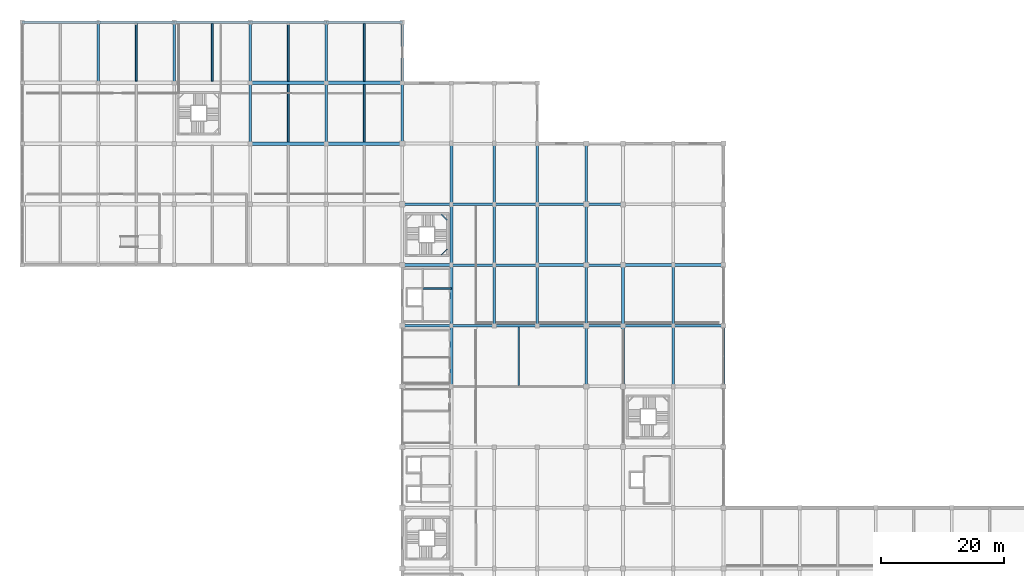
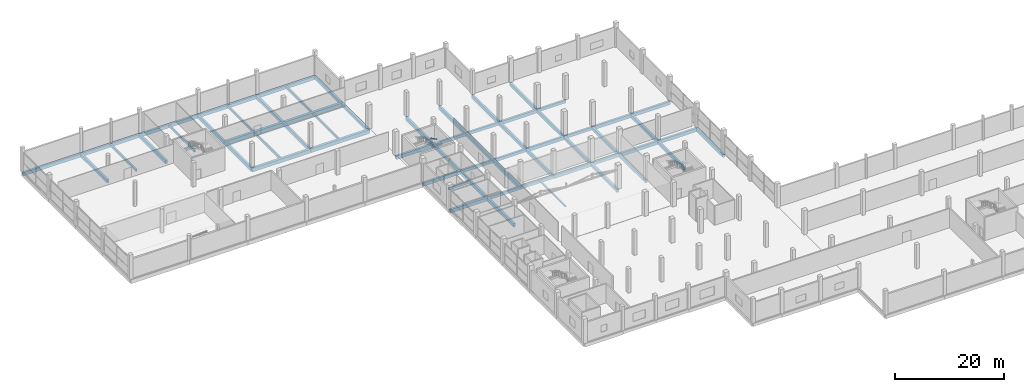
# One storey, part 28 of 72: 65 beams.
"""IFC4 building model written with IfcOpenShell, lengths in metres."""

from ifc_helpers import new_model, si_unit, direction, frame, origin, origin_2d, place, context, subcontext, project, spatial, rectangle, hollow_rectangle, i_section, extrude, material, material_profile, profile_set, type_object, element, save


model = new_model("IFC4")

# Units and contexts
model_context = context("Model", 3, precision=1e-05, world=origin(), true_north=direction((0.0, 1.0)))
body_context = subcontext(model_context, "Body", "Model", "MODEL_VIEW")
ifc_project = project(units=[si_unit("LENGTHUNIT", "METRE"), si_unit("AREAUNIT", "SQUARE_METRE"), si_unit("VOLUMEUNIT", "CUBIC_METRE"), si_unit("PLANEANGLEUNIT", "RADIAN"), si_unit("MASSUNIT", "GRAM", prefix="KILO")], contexts=[model_context])

# Site, building, storey
site_placement = place(None, origin())
site = spatial("IfcSite", under=ifc_project, at=site_placement, CompositionType="ELEMENT")
building_placement = place(site_placement, origin())
building = spatial("IfcBuilding", under=site, at=building_placement, Name="Sillaruma Civic Art Gallery", CompositionType="ELEMENT")
storey_placement = place(building_placement, frame((0.0, 0.0, 10.8798828125)))
storey = spatial("IfcBuildingStorey", under=building, at=storey_placement, Name="L02", CompositionType="ELEMENT", Elevation=10.8798828125)

# Beams
ifc_material_1 = material(Name="Concrete H35 (35 MPa)", Category="concrete")
ifc_material_profile_1 = material_profile(ifc_material_1, rectangle(XDim=0.39990234375, YDim=0.64990234375, at=origin_2d()), Name="RCB400x650")
ifc_profile_set_1 = profile_set([ifc_material_profile_1], Name="Concrete H35 (35 MPa)")
beam_type_1 = type_object("IfcBeamType", Name="BM-BEAM-RCB400x650", PredefinedType="BEAM", material=ifc_profile_set_1)
for number, where, z_axis, x_axis, name in (
    (1, (70.0, 69.300048828125, -0.5849609375), (1.0, 0.0, 0.0), (0.0, 1.0, 0.0), "Beam BM-05 (L01:8:G-H)"),
    (2, (77.0, 69.300048828125, -0.5849609375), (1.0, 0.0, 0.0), (0.0, 1.0, 0.0), "Beam BM-05 (L01:8:H-J)"),
):
    element("IfcBeam", number, at=place(storey_placement, frame(where, z_axis=z_axis, x_axis=x_axis)), inside=storey, type_object=beam_type_1, Name=name, PredefinedType="BEAM", context=body_context, shape_type="SweptSolid", body=[
        extrude(rectangle(XDim=0.39990234375, YDim=0.64990234375, at=origin_2d()), origin(), (0.0, 0.0, 1.0), 7.0),
    ])
beam_1_placement = place(storey_placement, frame((92.0, 69.300048828125, -0.5849609375), z_axis=(1.0, 0.0, 0.0), x_axis=(0.0, 1.0, 0.0)))
element("IfcBeam", 3, at=beam_1_placement, inside=storey, type_object=beam_type_1, Name="Beam BM-05 (L01:8:K-L)", PredefinedType="BEAM", context=body_context, shape_type="SweptSolid", body=[
    extrude(rectangle(XDim=0.39990234375, YDim=0.64990234375, at=origin_2d()), origin(), (0.0, 0.0, 1.0), 6.0),
])
for number, where, z_axis, x_axis, name in (
    (4, (70.0, 79.199951171875, -0.5849609375), (1.0, 0.0, 0.0), (0.0, 1.0, 0.0), "Beam BM-05 (L01:9:G-H)"),
    (5, (77.0, 79.199951171875, -0.5849609375), (1.0, 0.0, 0.0), (0.0, 1.0, 0.0), "Beam BM-05 (L01:9:H-J)"),
):
    element("IfcBeam", number, at=place(storey_placement, frame(where, z_axis=z_axis, x_axis=x_axis)), inside=storey, type_object=beam_type_1, Name=name, PredefinedType="BEAM", context=body_context, shape_type="SweptSolid", body=[
        extrude(rectangle(XDim=0.39990234375, YDim=0.64990234375, at=origin_2d()), origin(), (0.0, 0.0, 1.0), 7.0),
    ])
beam_2_placement = place(storey_placement, frame((92.0, 79.199951171875, -0.5849609375), z_axis=(1.0, 0.0, 0.0), x_axis=(0.0, 1.0, 0.0)))
element("IfcBeam", 6, at=beam_2_placement, inside=storey, type_object=beam_type_1, Name="Beam BM-05 (L01:9:K-L)", PredefinedType="BEAM", context=body_context, shape_type="SweptSolid", body=[
    extrude(rectangle(XDim=0.39990234375, YDim=0.64990234375, at=origin_2d()), origin(), (0.0, 0.0, 1.0), 6.0),
])
for number, where, z_axis, x_axis, name in (
    (7, (70.0, 89.10009765625, -0.5849609375), (1.0, 0.0, 0.0), (0.0, 1.0, 0.0), "Beam BM-05 (L01:10:G-H)"),
    (8, (77.0, 89.10009765625, -0.5849609375), (1.0, 0.0, 0.0), (0.0, 1.0, 0.0), "Beam BM-05 (L01:10:H-J)"),
):
    element("IfcBeam", number, at=place(storey_placement, frame(where, z_axis=z_axis, x_axis=x_axis)), inside=storey, type_object=beam_type_1, Name=name, PredefinedType="BEAM", context=body_context, shape_type="SweptSolid", body=[
        extrude(rectangle(XDim=0.39990234375, YDim=0.64990234375, at=origin_2d()), origin(), (0.0, 0.0, 1.0), 7.0),
    ])
beam_3_placement = place(storey_placement, frame((92.0, 89.10009765625, -0.5849609375), z_axis=(1.0, 0.0, 0.0), x_axis=(0.0, 1.0, 0.0)))
element("IfcBeam", 9, at=beam_3_placement, inside=storey, type_object=beam_type_1, Name="Beam BM-05 (L01:10:K-L)", PredefinedType="BEAM", context=body_context, shape_type="SweptSolid", body=[
    extrude(rectangle(XDim=0.39990234375, YDim=0.64990234375, at=origin_2d()), origin(), (0.0, 0.0, 1.0), 6.0),
])
ifc_material_2 = material(Name="Concrete H40 (40 MPa)", Category="concrete")
ifc_material_profile_2 = material_profile(ifc_material_2, rectangle(XDim=0.449951171875, YDim=0.75, at=origin_2d()), Name="RCB450x750")
ifc_profile_set_2 = profile_set([ifc_material_profile_2], Name="Concrete H40 (40 MPa)")
beam_type_2 = type_object("IfcBeamType", Name="BM-BEAM-RCB450x750", PredefinedType="BEAM", material=ifc_profile_set_2)
for number, where, z_axis, x_axis, name in (
    (10, (62.0, 69.300048828125, -0.634765625), (1.0, 0.0, 0.0), (0.0, 1.0, 0.0), "Beam BM-03 (L01:8:F-G)"),
    (11, (84.0, 69.300048828125, -0.634765625), (1.0, 0.0, 0.0), (0.0, 1.0, 0.0), "Beam BM-03 (L01:8:J-K)"),
):
    element("IfcBeam", number, at=place(storey_placement, frame(where, z_axis=z_axis, x_axis=x_axis)), inside=storey, type_object=beam_type_2, Name=name, PredefinedType="BEAM", context=body_context, shape_type="SweptSolid", body=[
        extrude(rectangle(XDim=0.449951171875, YDim=0.75, at=origin_2d()), origin(), (0.0, 0.0, 1.0), 8.0),
    ])
for number, where, z_axis, x_axis, name in (
    (12, (98.0, 69.300048828125, -0.634765625), (1.0, 0.0, 0.0), (0.0, 1.0, 0.0), "Beam BM-03 (L01:8:L-M)"),
    (13, (106.199951171875, 69.300048828125, -0.634765625), (1.0, 0.0, 0.0), (0.0, 1.0, 0.0), "Beam BM-03 (L01:8:M-N)"),
):
    element("IfcBeam", number, at=place(storey_placement, frame(where, z_axis=z_axis, x_axis=x_axis)), inside=storey, type_object=beam_type_2, Name=name, PredefinedType="BEAM", context=body_context, shape_type="SweptSolid", body=[
        extrude(rectangle(XDim=0.449951171875, YDim=0.75, at=origin_2d()), origin(), (0.0, 0.0, 1.0), 8.199951171875),
    ])
for number, where, z_axis, x_axis, name in (
    (14, (62.0, 79.199951171875, -0.634765625), (1.0, 0.0, 0.0), (0.0, 1.0, 0.0), "Beam BM-03 (L01:9:F-G)"),
    (15, (84.0, 79.199951171875, -0.634765625), (1.0, 0.0, 0.0), (0.0, 1.0, 0.0), "Beam BM-03 (L01:9:J-K)"),
):
    element("IfcBeam", number, at=place(storey_placement, frame(where, z_axis=z_axis, x_axis=x_axis)), inside=storey, type_object=beam_type_2, Name=name, PredefinedType="BEAM", context=body_context, shape_type="SweptSolid", body=[
        extrude(rectangle(XDim=0.449951171875, YDim=0.75, at=origin_2d()), origin(), (0.0, 0.0, 1.0), 8.0),
    ])
for number, where, z_axis, x_axis, name in (
    (16, (98.0, 79.199951171875, -0.634765625), (1.0, 0.0, 0.0), (0.0, 1.0, 0.0), "Beam BM-03 (L01:9:L-M)"),
    (17, (106.199951171875, 79.199951171875, -0.634765625), (1.0, 0.0, 0.0), (0.0, 1.0, 0.0), "Beam BM-03 (L01:9:M-N)"),
):
    element("IfcBeam", number, at=place(storey_placement, frame(where, z_axis=z_axis, x_axis=x_axis)), inside=storey, type_object=beam_type_2, Name=name, PredefinedType="BEAM", context=body_context, shape_type="SweptSolid", body=[
        extrude(rectangle(XDim=0.449951171875, YDim=0.75, at=origin_2d()), origin(), (0.0, 0.0, 1.0), 8.199951171875),
    ])
for number, where, z_axis, x_axis, name in (
    (18, (62.0, 89.10009765625, -0.634765625), (1.0, 0.0, 0.0), (0.0, 1.0, 0.0), "Beam BM-03 (L01:10:F-G)"),
    (19, (84.0, 89.10009765625, -0.634765625), (1.0, 0.0, 0.0), (0.0, 1.0, 0.0), "Beam BM-03 (L01:10:J-K)"),
):
    element("IfcBeam", number, at=place(storey_placement, frame(where, z_axis=z_axis, x_axis=x_axis)), inside=storey, type_object=beam_type_2, Name=name, PredefinedType="BEAM", context=body_context, shape_type="SweptSolid", body=[
        extrude(rectangle(XDim=0.449951171875, YDim=0.75, at=origin_2d()), origin(), (0.0, 0.0, 1.0), 8.0),
    ])
for number, where, z_axis, x_axis, name in (
    (20, (12.39990234375, 108.89990234375, -0.634765625), (0.0, 1.0, 0.0), (-1.0, 0.0, 0.0), "Beam BM-03 (L01:B:12-13)"),
    (21, (24.800048828125, 108.89990234375, -0.634765625), (0.0, 1.0, 0.0), (-1.0, 0.0, 0.0), "Beam BM-03 (L01:C:12-13)"),
):
    element("IfcBeam", number, at=place(storey_placement, frame(where, z_axis=z_axis, x_axis=x_axis)), inside=storey, type_object=beam_type_2, Name=name, PredefinedType="BEAM", context=body_context, shape_type="SweptSolid", body=[
        extrude(rectangle(XDim=0.449951171875, YDim=0.75, at=origin_2d()), origin(), (0.0, 0.0, 1.0), 9.900146484375),
    ])
beam_4_placement = place(storey_placement, frame((37.199951171875, 99.0, -0.634765625), z_axis=(0.0, 1.0, 0.0), x_axis=(-1.0, 0.0, 0.0)))
element("IfcBeam", 22, at=beam_4_placement, inside=storey, type_object=beam_type_2, Name="Beam BM-03 (L01:D:11-12)", PredefinedType="BEAM", context=body_context, shape_type="SweptSolid", body=[
    extrude(rectangle(XDim=0.449951171875, YDim=0.75, at=origin_2d()), origin(), (0.0, 0.0, 1.0), 9.89990234375),
])
beam_5_placement = place(storey_placement, frame((37.199951171875, 108.89990234375, -0.634765625), z_axis=(0.0, 1.0, 0.0), x_axis=(-1.0, 0.0, 0.0)))
element("IfcBeam", 23, at=beam_5_placement, inside=storey, type_object=beam_type_2, Name="Beam BM-03 (L01:D:12-13)", PredefinedType="BEAM", context=body_context, shape_type="SweptSolid", body=[
    extrude(rectangle(XDim=0.449951171875, YDim=0.75, at=origin_2d()), origin(), (0.0, 0.0, 1.0), 9.900146484375),
])
beam_6_placement = place(storey_placement, frame((49.60009765625, 99.0, -0.634765625), z_axis=(0.0, 1.0, 0.0), x_axis=(-1.0, 0.0, 0.0)))
element("IfcBeam", 24, at=beam_6_placement, inside=storey, type_object=beam_type_2, Name="Beam BM-03 (L01:E:11-12)", PredefinedType="BEAM", context=body_context, shape_type="SweptSolid", body=[
    extrude(rectangle(XDim=0.449951171875, YDim=0.75, at=origin_2d()), origin(), (0.0, 0.0, 1.0), 9.89990234375),
])
for number, where, z_axis, x_axis, name in (
    (25, (49.60009765625, 108.89990234375, -0.634765625), (0.0, 1.0, 0.0), (-1.0, 0.0, 0.0), "Beam BM-03 (L01:E:12-13)"),
    (26, (70.0, 59.39990234375, -0.634765625), (0.0, 1.0, 0.0), (-1.0, 0.0, 0.0), "Beam BM-03 (L01:G:7-8)"),
):
    element("IfcBeam", number, at=place(storey_placement, frame(where, z_axis=z_axis, x_axis=x_axis)), inside=storey, type_object=beam_type_2, Name=name, PredefinedType="BEAM", context=body_context, shape_type="SweptSolid", body=[
        extrude(rectangle(XDim=0.449951171875, YDim=0.75, at=origin_2d()), origin(), (0.0, 0.0, 1.0), 9.900146484375),
    ])
beam_7_placement = place(storey_placement, frame((70.0, 69.300048828125, -0.634765625), z_axis=(0.0, 1.0, 0.0), x_axis=(-1.0, 0.0, 0.0)))
element("IfcBeam", 27, at=beam_7_placement, inside=storey, type_object=beam_type_2, Name="Beam BM-03 (L01:G:8-9)", PredefinedType="BEAM", context=body_context, shape_type="SweptSolid", body=[
    extrude(rectangle(XDim=0.449951171875, YDim=0.75, at=origin_2d()), origin(), (0.0, 0.0, 1.0), 9.89990234375),
])
beam_8_placement = place(storey_placement, frame((70.0, 79.199951171875, -0.634765625), z_axis=(0.0, 1.0, 0.0), x_axis=(-1.0, 0.0, 0.0)))
element("IfcBeam", 28, at=beam_8_placement, inside=storey, type_object=beam_type_2, Name="Beam BM-03 (L01:G:9-10)", PredefinedType="BEAM", context=body_context, shape_type="SweptSolid", body=[
    extrude(rectangle(XDim=0.449951171875, YDim=0.75, at=origin_2d()), origin(), (0.0, 0.0, 1.0), 9.900146484375),
])
for number, where, z_axis, x_axis, name in (
    (29, (70.0, 89.10009765625, -0.634765625), (0.0, 1.0, 0.0), (-1.0, 0.0, 0.0), "Beam BM-03 (L01:G:10-11)"),
    (30, (77.0, 69.300048828125, -0.634765625), (0.0, 1.0, 0.0), (-1.0, 0.0, 0.0), "Beam BM-03 (L01:H:8-9)"),
):
    element("IfcBeam", number, at=place(storey_placement, frame(where, z_axis=z_axis, x_axis=x_axis)), inside=storey, type_object=beam_type_2, Name=name, PredefinedType="BEAM", context=body_context, shape_type="SweptSolid", body=[
        extrude(rectangle(XDim=0.449951171875, YDim=0.75, at=origin_2d()), origin(), (0.0, 0.0, 1.0), 9.89990234375),
    ])
beam_9_placement = place(storey_placement, frame((77.0, 79.199951171875, -0.634765625), z_axis=(0.0, 1.0, 0.0), x_axis=(-1.0, 0.0, 0.0)))
element("IfcBeam", 31, at=beam_9_placement, inside=storey, type_object=beam_type_2, Name="Beam BM-03 (L01:H:9-10)", PredefinedType="BEAM", context=body_context, shape_type="SweptSolid", body=[
    extrude(rectangle(XDim=0.449951171875, YDim=0.75, at=origin_2d()), origin(), (0.0, 0.0, 1.0), 9.900146484375),
])
for number, where, z_axis, x_axis, name in (
    (32, (77.0, 89.10009765625, -0.634765625), (0.0, 1.0, 0.0), (-1.0, 0.0, 0.0), "Beam BM-03 (L01:H:10-11)"),
    (33, (84.0, 69.300048828125, -0.634765625), (0.0, 1.0, 0.0), (-1.0, 0.0, 0.0), "Beam BM-03 (L01:J:8-9)"),
):
    element("IfcBeam", number, at=place(storey_placement, frame(where, z_axis=z_axis, x_axis=x_axis)), inside=storey, type_object=beam_type_2, Name=name, PredefinedType="BEAM", context=body_context, shape_type="SweptSolid", body=[
        extrude(rectangle(XDim=0.449951171875, YDim=0.75, at=origin_2d()), origin(), (0.0, 0.0, 1.0), 9.89990234375),
    ])
beam_10_placement = place(storey_placement, frame((84.0, 79.199951171875, -0.634765625), z_axis=(0.0, 1.0, 0.0), x_axis=(-1.0, 0.0, 0.0)))
element("IfcBeam", 34, at=beam_10_placement, inside=storey, type_object=beam_type_2, Name="Beam BM-03 (L01:J:9-10)", PredefinedType="BEAM", context=body_context, shape_type="SweptSolid", body=[
    extrude(rectangle(XDim=0.449951171875, YDim=0.75, at=origin_2d()), origin(), (0.0, 0.0, 1.0), 9.900146484375),
])
beam_11_placement = place(storey_placement, frame((84.0, 89.10009765625, -0.634765625), z_axis=(0.0, 1.0, 0.0), x_axis=(-1.0, 0.0, 0.0)))
element("IfcBeam", 35, at=beam_11_placement, inside=storey, type_object=beam_type_2, Name="Beam BM-03 (L01:J:10-11)", PredefinedType="BEAM", context=body_context, shape_type="SweptSolid", body=[
    extrude(rectangle(XDim=0.449951171875, YDim=0.75, at=origin_2d()), origin(), (0.0, 0.0, 1.0), 9.89990234375),
])
beam_12_placement = place(storey_placement, frame((106.199951171875, 59.39990234375, -0.634765625), z_axis=(0.0, 1.0, 0.0), x_axis=(-1.0, 0.0, 0.0)))
element("IfcBeam", 36, at=beam_12_placement, inside=storey, type_object=beam_type_2, Name="Beam BM-03 (L01:M:7-8)", PredefinedType="BEAM", context=body_context, shape_type="SweptSolid", body=[
    extrude(rectangle(XDim=0.449951171875, YDim=0.75, at=origin_2d()), origin(), (0.0, 0.0, 1.0), 9.900146484375),
])
beam_13_placement = place(storey_placement, frame((106.199951171875, 69.300048828125, -0.634765625), z_axis=(0.0, 1.0, 0.0), x_axis=(-1.0, 0.0, 0.0)))
element("IfcBeam", 37, at=beam_13_placement, inside=storey, type_object=beam_type_2, Name="Beam BM-03 (L01:M:8-9)", PredefinedType="BEAM", context=body_context, shape_type="SweptSolid", body=[
    extrude(rectangle(XDim=0.449951171875, YDim=0.75, at=origin_2d()), origin(), (0.0, 0.0, 1.0), 9.89990234375),
])
ifc_material_profile_3 = material_profile(ifc_material_2, rectangle(XDim=0.550048828125, YDim=0.85009765625, at=origin_2d()), Name="RCB550x850")
ifc_profile_set_3 = profile_set([ifc_material_profile_3], Name="Concrete H40 (40 MPa)")
beam_type_3 = type_object("IfcBeamType", Name="BM-BEAM-RCB550x850", PredefinedType="BEAM", material=ifc_profile_set_3)
beam_14_placement = place(storey_placement, frame((37.199951171875, 99.0, -0.684814453125), z_axis=(1.0, 0.0, 0.0), x_axis=(0.0, 1.0, 0.0)))
element("IfcBeam", 38, at=beam_14_placement, inside=storey, type_object=beam_type_3, Name="Beam BM-01 (L01:11:D-E)", PredefinedType="BEAM", context=body_context, shape_type="SweptSolid", body=[
    extrude(rectangle(XDim=0.550048828125, YDim=0.85009765625, at=origin_2d()), origin(), (0.0, 0.0, 1.0), 12.400146484375),
])
beam_15_placement = place(storey_placement, frame((49.60009765625, 99.0, -0.684814453125), z_axis=(1.0, 0.0, 0.0), x_axis=(0.0, 1.0, 0.0)))
element("IfcBeam", 39, at=beam_15_placement, inside=storey, type_object=beam_type_3, Name="Beam BM-01 (L01:11:E-F)", PredefinedType="BEAM", context=body_context, shape_type="SweptSolid", body=[
    extrude(rectangle(XDim=0.550048828125, YDim=0.85009765625, at=origin_2d()), origin(), (0.0, 0.0, 1.0), 12.39990234375),
])
beam_16_placement = place(storey_placement, frame((37.199951171875, 108.89990234375, -0.684814453125), z_axis=(1.0, 0.0, 0.0), x_axis=(0.0, 1.0, 0.0)))
element("IfcBeam", 40, at=beam_16_placement, inside=storey, type_object=beam_type_3, Name="Beam BM-01 (L01:12:D-E)", PredefinedType="BEAM", context=body_context, shape_type="SweptSolid", body=[
    extrude(rectangle(XDim=0.550048828125, YDim=0.85009765625, at=origin_2d()), origin(), (0.0, 0.0, 1.0), 12.400146484375),
])
beam_17_placement = place(storey_placement, frame((49.60009765625, 108.89990234375, -0.684814453125), z_axis=(1.0, 0.0, 0.0), x_axis=(0.0, 1.0, 0.0)))
element("IfcBeam", 41, at=beam_17_placement, inside=storey, type_object=beam_type_3, Name="Beam BM-01 (L01:12:E-F)", PredefinedType="BEAM", context=body_context, shape_type="SweptSolid", body=[
    extrude(rectangle(XDim=0.550048828125, YDim=0.85009765625, at=origin_2d()), origin(), (0.0, 0.0, 1.0), 12.39990234375),
])
ifc_material_profile_4 = material_profile(ifc_material_1, rectangle(XDim=0.300048828125, YDim=0.52001953125, at=origin_2d()), Name="RCB300x520")
ifc_profile_set_4 = profile_set([ifc_material_profile_4], Name="Concrete H35 (35 MPa)")
beam_type_4 = type_object("IfcBeamType", Name="BM-JOIST-RCB300x520", PredefinedType="JOIST", material=ifc_profile_set_4)
for number, where, z_axis, x_axis, name in (
    (42, (43.39990234375, 99.27490234375, -0.519775390625), (0.0, 1.0, 0.0), (-1.0, 0.0, 0.0), "Floor Joist JR-01 (L01:DE:11-12)"),
    (43, (55.800048828125, 99.27490234375, -0.519775390625), (0.0, 1.0, 0.0), (-1.0, 0.0, 0.0), "Floor Joist JR-01 (L01:EF:11-12)"),
):
    element("IfcBeam", number, at=place(storey_placement, frame(where, z_axis=z_axis, x_axis=x_axis)), inside=storey, type_object=beam_type_4, Name=name, PredefinedType="JOIST", context=body_context, shape_type="SweptSolid", body=[
        extrude(rectangle(XDim=0.300048828125, YDim=0.52001953125, at=origin_2d()), origin(), (0.0, 0.0, 1.0), 9.35009765625),
    ])
for number, where, z_axis, x_axis, name in (
    (44, (18.60009765625, 109.175048828125, -0.519775390625), (0.0, 1.0, 0.0), (-1.0, 0.0, 0.0), "Floor Joist JR-01 (L01:BC:12-13)"),
    (45, (31.0, 109.175048828125, -0.519775390625), (0.0, 1.0, 0.0), (-1.0, 0.0, 0.0), "Floor Joist JR-01 (L01:CD:12-13)"),
    (46, (43.39990234375, 109.175048828125, -0.519775390625), (0.0, 1.0, 0.0), (-1.0, 0.0, 0.0), "Floor Joist JR-01 (L01:DE:12-13)"),
    (47, (55.800048828125, 109.175048828125, -0.519775390625), (0.0, 1.0, 0.0), (-1.0, 0.0, 0.0), "Floor Joist JR-01 (L01:EF:12-13)"),
):
    element("IfcBeam", number, at=place(storey_placement, frame(where, z_axis=z_axis, x_axis=x_axis)), inside=storey, type_object=beam_type_4, Name=name, PredefinedType="JOIST", context=body_context, shape_type="SweptSolid", body=[
        extrude(rectangle(XDim=0.300048828125, YDim=0.52001953125, at=origin_2d()), origin(), (0.0, 0.0, 1.0), 9.39990234375),
    ])
ifc_material_3 = material(Name="Structural Steel ASTM A992 Gr.50", Category="steel")
ifc_material_profile_5 = material_profile(ifc_material_3, i_section(OverallWidth=0.256103515625, OverallDepth=0.260009765625, WebThickness=0.0107421875, FlangeThickness=0.017333984375, FilletRadius=0.012939453125, at=origin_2d()), Name="W250x89")
ifc_profile_set_5 = profile_set([ifc_material_profile_5], Name="Structural Steel ASTM A992 Gr.50")
beam_type_5 = type_object("IfcBeamType", Name="BM-JOIST-W250x89", PredefinedType="JOIST", material=ifc_profile_set_5)
beam_18_placement = place(storey_placement, frame((81.0, 59.5869140625, -0.389892578125), z_axis=(0.0, 1.0, 0.0), x_axis=(-1.0, 0.0, 0.0)))
element("IfcBeam", 48, at=beam_18_placement, inside=storey, type_object=beam_type_5, Name="Long-Span Gallery Joist JS-04 (L01:7-8)", PredefinedType="JOIST", context=body_context, shape_type="SweptSolid", body=[
    extrude(i_section(OverallWidth=0.256103515625, OverallDepth=0.260009765625, WebThickness=0.0107421875, FlangeThickness=0.017333984375, FilletRadius=0.012939453125, at=origin_2d()), origin(), (0.0, 0.0, 1.0), 9.51318359375),
])
ifc_material_profile_6 = material_profile(ifc_material_1, rectangle(XDim=0.300048828125, YDim=0.4599609375, at=origin_2d()), Name="RCB300x460")
ifc_profile_set_6 = profile_set([ifc_material_profile_6], Name="Concrete H35 (35 MPa)")
beam_type_6 = type_object("IfcBeamType", Name="BM-LINTEL-RCB300x460", PredefinedType="LINTEL", material=ifc_profile_set_6)
beam_19_placement = place(storey_placement, frame((65.25, 75.3798828125, -0.489990234375), z_axis=(1.0, 0.0, 0.0), x_axis=(0.0, 1.0, 0.0)))
element("IfcBeam", 49, at=beam_19_placement, inside=storey, type_object=beam_type_6, Name="Core Portal Coupling Lintel BL-01 (L01:FFL)", PredefinedType="LINTEL", context=body_context, shape_type="SweptSolid", body=[
    extrude(rectangle(XDim=0.300048828125, YDim=0.4599609375, at=origin_2d()), origin(), (0.0, 0.0, 1.0), 4.75),
])
ifc_material_4 = material(Name="Structural Steel ASTM A500 Gr.C", Category="steel")
ifc_material_profile_7 = material_profile(ifc_material_4, hollow_rectangle(XDim=0.080078125, YDim=0.159912109375, WallThickness=0.008056640625, InnerFilletRadius=0.008056640625, OuterFilletRadius=0.01611328125, at=origin_2d()), Name="HSS160x80x8")
ifc_profile_set_7 = profile_set([ifc_material_profile_7], Name="Structural Steel ASTM A500 Gr.C")
beam_type_7 = type_object("IfcBeamType", Name="BM-LND-HSS160", PredefinedType="BEAM", material=ifc_profile_set_7)
for number, where, z_axis, x_axis, name in (
    (50, (68.389892578125, 80.8701171875, 1.080078125), (0.707203758046, 0.707009791025, 0.0), (-0.707009791025, 0.707203758046, 0.0), "Stair Corner Landing Trimmer Beam (ST-02-L02-1)"),
    (51, (68.389892578125, 87.429931640625, 2.440185546875), (0.707203758046, -0.707009791025, 0.0), (0.707009791025, 0.707203758046, 0.0), "Stair Corner Landing Trimmer Beam (ST-02-L02-2)"),
):
    element("IfcBeam", number, at=place(storey_placement, frame(where, z_axis=z_axis, x_axis=x_axis)), inside=storey, type_object=beam_type_7, Name=name, PredefinedType="BEAM", context=body_context, shape_type="SweptSolid", body=[
        extrude(hollow_rectangle(XDim=0.080078125, YDim=0.159912109375, WallThickness=0.008056640625, InnerFilletRadius=0.008056640625, OuterFilletRadius=0.01611328125, at=origin_2d()), origin(), (0.0, 0.0, 1.0), 1.2587890625),
    ])
ifc_material_profile_8 = material_profile(ifc_material_1, rectangle(XDim=0.449951171875, YDim=0.699951171875, at=origin_2d()), Name="RCB450x700")
ifc_profile_set_8 = profile_set([ifc_material_profile_8], Name="Concrete H35 (35 MPa)")
beam_type_8 = type_object("IfcBeamType", Name="BM-SPANDREL-RCB450x700", PredefinedType="SPANDREL", material=ifc_profile_set_8)
beam_20_placement = place(storey_placement, frame((62.0, 99.0, -0.60986328125), z_axis=(0.0, 1.0, 0.0), x_axis=(-1.0, 0.0, 0.0)))
element("IfcBeam", 52, at=beam_20_placement, inside=storey, type_object=beam_type_8, Name="Beam BS-03 (L01:F:11-12)", PredefinedType="SPANDREL", context=body_context, shape_type="SweptSolid", body=[
    extrude(rectangle(XDim=0.449951171875, YDim=0.699951171875, at=origin_2d()), origin(), (0.0, 0.0, 1.0), 9.89990234375),
])
for number, where, z_axis, x_axis, name in (
    (53, (62.0, 108.89990234375, -0.60986328125), (0.0, 1.0, 0.0), (-1.0, 0.0, 0.0), "Beam BS-03 (L01:F:12-13)"),
    (54, (92.0, 59.39990234375, -0.60986328125), (0.0, 1.0, 0.0), (-1.0, 0.0, 0.0), "Beam BS-03 (L01:K:7-8)"),
):
    element("IfcBeam", number, at=place(storey_placement, frame(where, z_axis=z_axis, x_axis=x_axis)), inside=storey, type_object=beam_type_8, Name=name, PredefinedType="SPANDREL", context=body_context, shape_type="SweptSolid", body=[
        extrude(rectangle(XDim=0.449951171875, YDim=0.699951171875, at=origin_2d()), origin(), (0.0, 0.0, 1.0), 9.900146484375),
    ])
beam_21_placement = place(storey_placement, frame((92.0, 69.300048828125, -0.60986328125), z_axis=(0.0, 1.0, 0.0), x_axis=(-1.0, 0.0, 0.0)))
element("IfcBeam", 55, at=beam_21_placement, inside=storey, type_object=beam_type_8, Name="Beam BS-03 (L01:K:8-9)", PredefinedType="SPANDREL", context=body_context, shape_type="SweptSolid", body=[
    extrude(rectangle(XDim=0.449951171875, YDim=0.699951171875, at=origin_2d()), origin(), (0.0, 0.0, 1.0), 9.89990234375),
])
beam_22_placement = place(storey_placement, frame((92.0, 79.199951171875, -0.60986328125), z_axis=(0.0, 1.0, 0.0), x_axis=(-1.0, 0.0, 0.0)))
element("IfcBeam", 56, at=beam_22_placement, inside=storey, type_object=beam_type_8, Name="Beam BS-03 (L01:K:9-10)", PredefinedType="SPANDREL", context=body_context, shape_type="SweptSolid", body=[
    extrude(rectangle(XDim=0.449951171875, YDim=0.699951171875, at=origin_2d()), origin(), (0.0, 0.0, 1.0), 9.900146484375),
])
beam_23_placement = place(storey_placement, frame((92.0, 89.10009765625, -0.60986328125), z_axis=(0.0, 1.0, 0.0), x_axis=(-1.0, 0.0, 0.0)))
element("IfcBeam", 57, at=beam_23_placement, inside=storey, type_object=beam_type_8, Name="Beam BS-03 (L01:K:10-11)", PredefinedType="SPANDREL", context=body_context, shape_type="SweptSolid", body=[
    extrude(rectangle(XDim=0.449951171875, YDim=0.699951171875, at=origin_2d()), origin(), (0.0, 0.0, 1.0), 9.89990234375),
])
beam_24_placement = place(storey_placement, frame((98.0, 59.39990234375, -0.60986328125), z_axis=(0.0, 1.0, 0.0), x_axis=(-1.0, 0.0, 0.0)))
element("IfcBeam", 58, at=beam_24_placement, inside=storey, type_object=beam_type_8, Name="Beam BS-03 (L01:L:7-8)", PredefinedType="SPANDREL", context=body_context, shape_type="SweptSolid", body=[
    extrude(rectangle(XDim=0.449951171875, YDim=0.699951171875, at=origin_2d()), origin(), (0.0, 0.0, 1.0), 9.900146484375),
])
beam_25_placement = place(storey_placement, frame((98.0, 69.300048828125, -0.60986328125), z_axis=(0.0, 1.0, 0.0), x_axis=(-1.0, 0.0, 0.0)))
element("IfcBeam", 59, at=beam_25_placement, inside=storey, type_object=beam_type_8, Name="Beam BS-03 (L01:L:8-9)", PredefinedType="SPANDREL", context=body_context, shape_type="SweptSolid", body=[
    extrude(rectangle(XDim=0.449951171875, YDim=0.699951171875, at=origin_2d()), origin(), (0.0, 0.0, 1.0), 9.89990234375),
])
beam_26_placement = place(storey_placement, frame((114.39990234375, 59.39990234375, -0.60986328125), z_axis=(0.0, 1.0, 0.0), x_axis=(-1.0, 0.0, 0.0)))
element("IfcBeam", 60, at=beam_26_placement, inside=storey, type_object=beam_type_8, Name="Beam BS-03 (L01:N:7-8)", PredefinedType="SPANDREL", context=body_context, shape_type="SweptSolid", body=[
    extrude(rectangle(XDim=0.449951171875, YDim=0.699951171875, at=origin_2d()), origin(), (0.0, 0.0, 1.0), 9.900146484375),
])
ifc_material_profile_9 = material_profile(ifc_material_2, rectangle(XDim=0.449951171875, YDim=0.75, at=origin_2d()), Name="RCB450x750")
ifc_profile_set_9 = profile_set([ifc_material_profile_9], Name="Concrete H40 (40 MPa)")
beam_type_9 = type_object("IfcBeamType", Name="BM-SPANDREL-RCB450x750", PredefinedType="SPANDREL", material=ifc_profile_set_9)
beam_27_placement = place(storey_placement, frame((0.0, 118.800048828125, -0.634765625), z_axis=(1.0, 0.0, 0.0), x_axis=(0.0, 1.0, 0.0)))
element("IfcBeam", 61, at=beam_27_placement, inside=storey, type_object=beam_type_9, Name="Beam BS-01 (L01:13:A-B)", PredefinedType="SPANDREL", context=body_context, shape_type="SweptSolid", body=[
    extrude(rectangle(XDim=0.449951171875, YDim=0.75, at=origin_2d()), origin(), (0.0, 0.0, 1.0), 12.39990234375),
])
beam_28_placement = place(storey_placement, frame((12.39990234375, 118.800048828125, -0.634765625), z_axis=(1.0, 0.0, 0.0), x_axis=(0.0, 1.0, 0.0)))
element("IfcBeam", 62, at=beam_28_placement, inside=storey, type_object=beam_type_9, Name="Beam BS-01 (L01:13:B-C)", PredefinedType="SPANDREL", context=body_context, shape_type="SweptSolid", body=[
    extrude(rectangle(XDim=0.449951171875, YDim=0.75, at=origin_2d()), origin(), (0.0, 0.0, 1.0), 12.400146484375),
])
beam_29_placement = place(storey_placement, frame((24.800048828125, 118.800048828125, -0.634765625), z_axis=(1.0, 0.0, 0.0), x_axis=(0.0, 1.0, 0.0)))
element("IfcBeam", 63, at=beam_29_placement, inside=storey, type_object=beam_type_9, Name="Beam BS-01 (L01:13:C-D)", PredefinedType="SPANDREL", context=body_context, shape_type="SweptSolid", body=[
    extrude(rectangle(XDim=0.449951171875, YDim=0.75, at=origin_2d()), origin(), (0.0, 0.0, 1.0), 12.39990234375),
])
beam_30_placement = place(storey_placement, frame((37.199951171875, 118.800048828125, -0.634765625), z_axis=(1.0, 0.0, 0.0), x_axis=(0.0, 1.0, 0.0)))
element("IfcBeam", 64, at=beam_30_placement, inside=storey, type_object=beam_type_9, Name="Beam BS-01 (L01:13:D-E)", PredefinedType="SPANDREL", context=body_context, shape_type="SweptSolid", body=[
    extrude(rectangle(XDim=0.449951171875, YDim=0.75, at=origin_2d()), origin(), (0.0, 0.0, 1.0), 12.400146484375),
])
beam_31_placement = place(storey_placement, frame((49.60009765625, 118.800048828125, -0.634765625), z_axis=(1.0, 0.0, 0.0), x_axis=(0.0, 1.0, 0.0)))
element("IfcBeam", 65, at=beam_31_placement, inside=storey, type_object=beam_type_9, Name="Beam BS-01 (L01:13:E-F)", PredefinedType="SPANDREL", context=body_context, shape_type="SweptSolid", body=[
    extrude(rectangle(XDim=0.449951171875, YDim=0.75, at=origin_2d()), origin(), (0.0, 0.0, 1.0), 12.39990234375),
])

save(model, "model.ifc")
